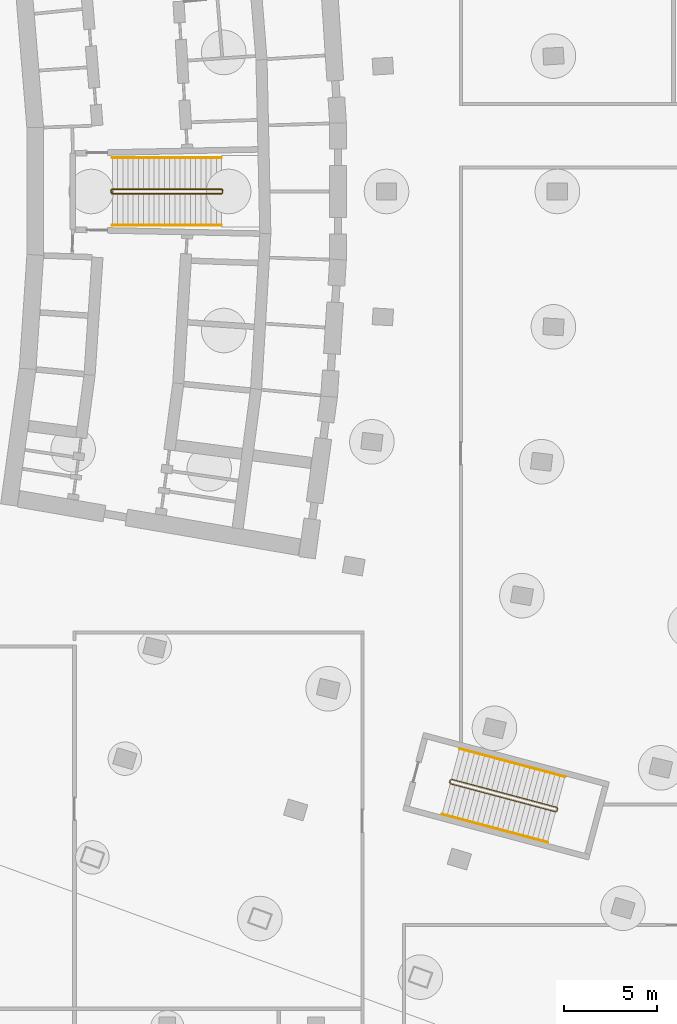
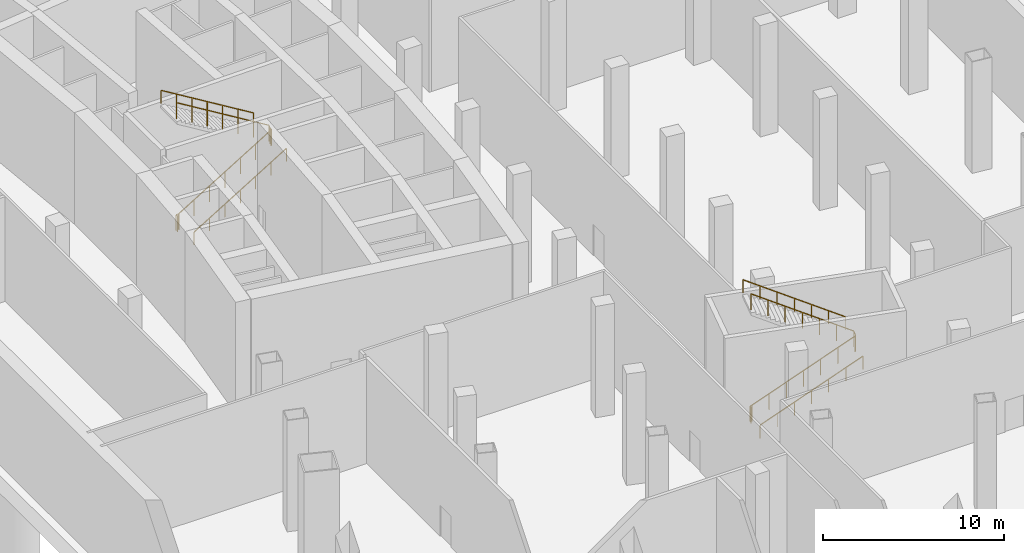
# One storey, part 15 of 19: 6 railings.
"""IFC4 building model written with IfcOpenShell, lengths in metres."""

from ifc_helpers import new_model, si_unit, direction, frame, origin, origin_with_axes, origin_2d, place, context, subcontext, project, spatial, rectangle, extrude, material, type_object, element, save


model = new_model("IFC4")

# Units and contexts
model_context = context("Model", 3, precision=1e-05, world=origin(), true_north=direction((0.0, 1.0)))
body_context = subcontext(model_context, "Body", "Model", "MODEL_VIEW")
ifc_project = project(units=[si_unit("LENGTHUNIT", "METRE"), si_unit("AREAUNIT", "SQUARE_METRE"), si_unit("VOLUMEUNIT", "CUBIC_METRE"), si_unit("PLANEANGLEUNIT", "RADIAN"), si_unit("MASSUNIT", "GRAM", prefix="KILO")], contexts=[model_context])

# Site, building, storey
site_placement = place(None, origin())
site = spatial("IfcSite", under=ifc_project, at=site_placement, CompositionType="ELEMENT")
building_placement = place(site_placement, origin())
building = spatial("IfcBuilding", under=site, at=building_placement, Name="Alderwake Tower", CompositionType="ELEMENT")
storey_placement = place(building_placement, frame((0.0, 0.0, -14.0)))
storey = spatial("IfcBuildingStorey", under=building, at=storey_placement, Name="B2", CompositionType="ELEMENT", Elevation=-14.0)

# Railings
ifc_material_1 = material(Name="Stainless steel guard", Category="steel")
railing_type_1 = type_object("IfcRailingType", Name="Stair guard 1100", PredefinedType="GUARDRAIL", material=ifc_material_1)
railing_1_placement = place(storey_placement, frame((20.989990234375, 60.925048828125, 0.0)))
element("IfcRailing", 1, at=railing_1_placement, inside=storey, type_object=railing_type_1, Name="B2 ST-B stair guard 1", PredefinedType="GUARDRAIL", context=body_context, shape_type="SweptSolid", body=[
    extrude(rectangle(XDim=0.048095703125, YDim=0.048095703125, at=origin_2d()), frame((0.0, 0.0, 1.076171875), z_axis=(0.0, 1.0, 0.0), x_axis=(-1.0, 0.0, 0.0)), (0.0, 0.0, 1.0), 0.14990234375),
    extrude(rectangle(XDim=0.048095703125, YDim=0.048095703125, at=origin_2d()), frame((0.0, 0.14990234375, 1.076171875), z_axis=(0.18713932023, -0.747644406186, 0.637186563514), x_axis=(0.970072785993, 0.242814311512, 0.0)), (0.0, 0.0, 1.0), 0.267333984375),
    extrude(rectangle(XDim=0.048095703125, YDim=0.048095703125, at=origin_2d()), frame((0.050048828125, -0.050048828125, 1.24658203125), z_axis=(0.854164310681, 0.0, 0.520003202259), x_axis=(0.0, 1.0, 0.0)), (0.0, 0.0, 1.0), 6.8837890625),
    extrude(rectangle(XDim=0.048095703125, YDim=0.048095703125, at=origin_2d()), frame((5.929931640625, -0.050048828125, 4.826171875), z_axis=(0.707106781187, 0.707106781187, 0.0), x_axis=(-0.707106781187, 0.707106781187, 0.0)), (0.0, 0.0, 1.0), 0.07080078125),
    extrude(rectangle(XDim=0.048095703125, YDim=0.048095703125, at=origin_2d()), frame((5.97998046875, 0.0, 4.826171875), z_axis=(0.0, 1.0, 0.0), x_axis=(-1.0, 0.0, 0.0)), (0.0, 0.0, 1.0), 0.14990234375),
    extrude(rectangle(XDim=0.048095703125, YDim=0.048095703125, at=origin_2d()), frame((5.97998046875, 0.14990234375, 4.826171875), z_axis=(-0.271230943075, 0.271230943075, 0.923508284228), x_axis=(-0.707106781187, -0.707106781187, 0.0)), (0.0, 0.0, 1.0), 0.1845703125),
    extrude(rectangle(XDim=0.048095703125, YDim=0.048095703125, at=origin_2d()), frame((5.929931640625, 0.199951171875, 4.99658203125), z_axis=(-0.854164310681, 0.0, 0.520003202259), x_axis=(0.0, -1.0, 0.0)), (0.0, 0.0, 1.0), 6.8837890625),
    extrude(rectangle(XDim=0.0419921875, YDim=0.0419921875, at=origin_2d()), frame((0.0, 0.0, 0.0), z_axis=(0.0, 0.0, 1.0), x_axis=(0.0, 1.0, 0.0)), (0.0, 0.0, 1.0), 1.052001953125),
    extrude(rectangle(XDim=0.0419921875, YDim=0.0419921875, at=origin_2d()), frame((0.0, 0.14990234375, 0.0), z_axis=(0.0, 0.0, 1.0), x_axis=(0.242814311512, -0.970072785993, 0.0)), (0.0, 0.0, 1.0), 1.052001953125),
    extrude(rectangle(XDim=0.0419921875, YDim=0.0419921875, at=origin_2d()), frame((0.050048828125, -0.050048828125, 0.17041015625), z_axis=(0.0, 0.0, 1.0), x_axis=(1.0, 0.0, 0.0)), (0.0, 0.0, 1.0), 1.052001953125),
    extrude(rectangle(XDim=0.0419921875, YDim=0.0419921875, at=origin_2d()), frame((1.030029296875, -0.050048828125, 0.76708984375), z_axis=(0.0, 0.0, 1.0), x_axis=(1.0, 0.0, 0.0)), (0.0, 0.0, 1.0), 1.052001953125),
    extrude(rectangle(XDim=0.0419921875, YDim=0.0419921875, at=origin_2d()), frame((2.010009765625, -0.050048828125, 1.363525390625), z_axis=(0.0, 0.0, 1.0), x_axis=(1.0, 0.0, 0.0)), (0.0, 0.0, 1.0), 1.052001953125),
    extrude(rectangle(XDim=0.0419921875, YDim=0.0419921875, at=origin_2d()), frame((2.989990234375, -0.050048828125, 1.960205078125), z_axis=(0.0, 0.0, 1.0), x_axis=(1.0, 0.0, 0.0)), (0.0, 0.0, 1.0), 1.052001953125),
    extrude(rectangle(XDim=0.0419921875, YDim=0.0419921875, at=origin_2d()), frame((3.969970703125, -0.050048828125, 2.556884765625), z_axis=(0.0, 0.0, 1.0), x_axis=(1.0, 0.0, 0.0)), (0.0, 0.0, 1.0), 1.052001953125),
    extrude(rectangle(XDim=0.0419921875, YDim=0.0419921875, at=origin_2d()), frame((4.949951171875, -0.050048828125, 3.1533203125), z_axis=(0.0, 0.0, 1.0), x_axis=(1.0, 0.0, 0.0)), (0.0, 0.0, 1.0), 1.052001953125),
    extrude(rectangle(XDim=0.0419921875, YDim=0.0419921875, at=origin_2d()), frame((5.929931640625, -0.050048828125, 3.75), z_axis=(0.0, 0.0, 1.0), x_axis=(0.707106781187, 0.707106781187, 0.0)), (0.0, 0.0, 1.0), 1.052001953125),
    extrude(rectangle(XDim=0.0419921875, YDim=0.0419921875, at=origin_2d()), frame((5.97998046875, 0.0, 3.75), z_axis=(0.0, 0.0, 1.0), x_axis=(0.0, 1.0, 0.0)), (0.0, 0.0, 1.0), 1.052001953125),
    extrude(rectangle(XDim=0.0419921875, YDim=0.0419921875, at=origin_2d()), frame((5.97998046875, 0.14990234375, 3.75), z_axis=(0.0, 0.0, 1.0), x_axis=(-0.707106781187, 0.707106781187, 0.0)), (0.0, 0.0, 1.0), 1.052001953125),
    extrude(rectangle(XDim=0.0419921875, YDim=0.0419921875, at=origin_2d()), frame((5.929931640625, 0.199951171875, 3.92041015625), z_axis=(0.0, 0.0, 1.0), x_axis=(-1.0, 0.0, 0.0)), (0.0, 0.0, 1.0), 1.052001953125),
    extrude(rectangle(XDim=0.0419921875, YDim=0.0419921875, at=origin_2d()), frame((4.949951171875, 0.199951171875, 4.51708984375), z_axis=(0.0, 0.0, 1.0), x_axis=(-1.0, 0.0, 0.0)), (0.0, 0.0, 1.0), 1.052001953125),
    extrude(rectangle(XDim=0.0419921875, YDim=0.0419921875, at=origin_2d()), frame((3.969970703125, 0.199951171875, 5.113525390625), z_axis=(0.0, 0.0, 1.0), x_axis=(-1.0, 0.0, 0.0)), (0.0, 0.0, 1.0), 1.052001953125),
    extrude(rectangle(XDim=0.0419921875, YDim=0.0419921875, at=origin_2d()), frame((2.989990234375, 0.199951171875, 5.710205078125), z_axis=(0.0, 0.0, 1.0), x_axis=(-1.0, 0.0, 0.0)), (0.0, 0.0, 1.0), 1.052001953125),
    extrude(rectangle(XDim=0.0419921875, YDim=0.0419921875, at=origin_2d()), frame((2.010009765625, 0.199951171875, 6.306884765625), z_axis=(0.0, 0.0, 1.0), x_axis=(-1.0, 0.0, 0.0)), (0.0, 0.0, 1.0), 1.052001953125),
    extrude(rectangle(XDim=0.0419921875, YDim=0.0419921875, at=origin_2d()), frame((1.030029296875, 0.199951171875, 6.9033203125), z_axis=(0.0, 0.0, 1.0), x_axis=(-1.0, 0.0, 0.0)), (0.0, 0.0, 1.0), 1.052001953125),
    extrude(rectangle(XDim=0.0419921875, YDim=0.0419921875, at=origin_2d()), frame((0.050048828125, 0.199951171875, 7.5), z_axis=(0.0, 0.0, 1.0), x_axis=(-1.0, 0.0, 0.0)), (0.0, 0.0, 1.0), 1.052001953125),
])
railing_2_placement = place(storey_placement, frame((39.1943359375, 29.17431640625, 0.0)))
element("IfcRailing", 2, at=railing_2_placement, inside=storey, type_object=railing_type_1, Name="B2 ST-C stair guard 1", PredefinedType="GUARDRAIL", context=body_context, shape_type="SweptSolid", body=[
    extrude(rectangle(XDim=0.048095703125, YDim=0.048095703125, at=origin_2d()), frame((0.0, 0.0, 1.076171875), z_axis=(0.257459803502, 0.966289009345, 0.0), x_axis=(-0.966289009345, 0.257459803502, 0.0)), (0.0, 0.0, 1.0), 0.14990234375),
    extrude(rectangle(XDim=0.048095703125, YDim=0.048095703125, at=origin_2d()), frame((0.03857421875, 0.144775390625, 1.076171875), z_axis=(-0.011868761254, -0.770556499864, 0.637261181167), x_axis=(0.999881397308, -0.015401016783, 0.0)), (0.0, 0.0, 1.0), 0.267333984375),
    extrude(rectangle(XDim=0.048095703125, YDim=0.048095703125, at=origin_2d()), frame((0.035400390625, -0.061279296875, 1.24658203125), z_axis=(0.825390405853, -0.219851120435, 0.519996310343), x_axis=(0.257386123232, 0.966308637842, 0.0)), (0.0, 0.0, 1.0), 6.8837890625),
    extrude(rectangle(XDim=0.048095703125, YDim=0.048095703125, at=origin_2d()), frame((5.71728515625, -1.57470703125, 4.826171875), z_axis=(0.865898279276, 0.500220121494, 0.0), x_axis=(-0.500220121494, 0.865898279276, 0.0)), (0.0, 0.0, 1.0), 0.07080078125),
    extrude(rectangle(XDim=0.048095703125, YDim=0.048095703125, at=origin_2d()), frame((5.778564453125, -1.539306640625, 4.826171875), z_axis=(0.257055032184, 0.966396766566, 0.0), x_axis=(-0.966396766566, 0.257055032184, 0.0)), (0.0, 0.0, 1.0), 0.150146484375),
    extrude(rectangle(XDim=0.048095703125, YDim=0.048095703125, at=origin_2d()), frame((5.817138671875, -1.394287109375, 4.826171875), z_axis=(-0.191850306939, 0.33209949684, 0.923527684439), x_axis=(-0.865898279276, -0.500220121494, 0.0)), (0.0, 0.0, 1.0), 0.1845703125),
    extrude(rectangle(XDim=0.048095703125, YDim=0.048095703125, at=origin_2d()), frame((5.78173828125, -1.3330078125, 4.99658203125), z_axis=(-0.825390405853, 0.219851120435, 0.519996310343), x_axis=(-0.257386123232, -0.966308637842, 0.0)), (0.0, 0.0, 1.0), 6.8837890625),
    extrude(rectangle(XDim=0.0419921875, YDim=0.0419921875, at=origin_2d()), frame((0.0, 0.0, 0.0), z_axis=(0.0, 0.0, 1.0), x_axis=(0.257459803502, 0.966289009345, 0.0)), (0.0, 0.0, 1.0), 1.052001953125),
    extrude(rectangle(XDim=0.0419921875, YDim=0.0419921875, at=origin_2d()), frame((0.03857421875, 0.144775390625, 0.0), z_axis=(0.0, 0.0, 1.0), x_axis=(-0.015401016783, -0.999881397308, 0.0)), (0.0, 0.0, 1.0), 1.052001953125),
    extrude(rectangle(XDim=0.0419921875, YDim=0.0419921875, at=origin_2d()), frame((0.035400390625, -0.061279296875, 0.17041015625), z_axis=(0.0, 0.0, 1.0), x_axis=(0.966308637842, -0.257386123232, 0.0)), (0.0, 0.0, 1.0), 1.052001953125),
    extrude(rectangle(XDim=0.0419921875, YDim=0.0419921875, at=origin_2d()), frame((0.982421875, -0.3134765625, 0.76708984375), z_axis=(0.0, 0.0, 1.0), x_axis=(0.966308637842, -0.257386123232, 0.0)), (0.0, 0.0, 1.0), 1.052001953125),
    extrude(rectangle(XDim=0.0419921875, YDim=0.0419921875, at=origin_2d()), frame((1.929443359375, -0.565673828125, 1.363525390625), z_axis=(0.0, 0.0, 1.0), x_axis=(0.966308637842, -0.257386123232, 0.0)), (0.0, 0.0, 1.0), 1.052001953125),
    extrude(rectangle(XDim=0.0419921875, YDim=0.0419921875, at=origin_2d()), frame((2.87646484375, -0.81787109375, 1.960205078125), z_axis=(0.0, 0.0, 1.0), x_axis=(0.966308637842, -0.257386123232, 0.0)), (0.0, 0.0, 1.0), 1.052001953125),
    extrude(rectangle(XDim=0.0419921875, YDim=0.0419921875, at=origin_2d()), frame((3.8232421875, -1.0703125, 2.556884765625), z_axis=(0.0, 0.0, 1.0), x_axis=(0.966308637842, -0.257386123232, 0.0)), (0.0, 0.0, 1.0), 1.052001953125),
    extrude(rectangle(XDim=0.0419921875, YDim=0.0419921875, at=origin_2d()), frame((4.770263671875, -1.322509765625, 3.1533203125), z_axis=(0.0, 0.0, 1.0), x_axis=(0.966308637842, -0.257386123232, 0.0)), (0.0, 0.0, 1.0), 1.052001953125),
    extrude(rectangle(XDim=0.0419921875, YDim=0.0419921875, at=origin_2d()), frame((5.71728515625, -1.57470703125, 3.75), z_axis=(0.0, 0.0, 1.0), x_axis=(0.865898279276, 0.500220121494, 0.0)), (0.0, 0.0, 1.0), 1.052001953125),
    extrude(rectangle(XDim=0.0419921875, YDim=0.0419921875, at=origin_2d()), frame((5.778564453125, -1.539306640625, 3.75), z_axis=(0.0, 0.0, 1.0), x_axis=(0.257055032184, 0.966396766566, 0.0)), (0.0, 0.0, 1.0), 1.052001953125),
    extrude(rectangle(XDim=0.0419921875, YDim=0.0419921875, at=origin_2d()), frame((5.817138671875, -1.394287109375, 3.75), z_axis=(0.0, 0.0, 1.0), x_axis=(-0.500220121494, 0.865898279276, 0.0)), (0.0, 0.0, 1.0), 1.052001953125),
    extrude(rectangle(XDim=0.0419921875, YDim=0.0419921875, at=origin_2d()), frame((5.78173828125, -1.3330078125, 3.92041015625), z_axis=(0.0, 0.0, 1.0), x_axis=(-0.966308637842, 0.257386123232, 0.0)), (0.0, 0.0, 1.0), 1.052001953125),
    extrude(rectangle(XDim=0.0419921875, YDim=0.0419921875, at=origin_2d()), frame((4.834716796875, -1.080810546875, 4.51708984375), z_axis=(0.0, 0.0, 1.0), x_axis=(-0.966308637842, 0.257386123232, 0.0)), (0.0, 0.0, 1.0), 1.052001953125),
    extrude(rectangle(XDim=0.0419921875, YDim=0.0419921875, at=origin_2d()), frame((3.8876953125, -0.82861328125, 5.113525390625), z_axis=(0.0, 0.0, 1.0), x_axis=(-0.966308637842, 0.257386123232, 0.0)), (0.0, 0.0, 1.0), 1.052001953125),
    extrude(rectangle(XDim=0.0419921875, YDim=0.0419921875, at=origin_2d()), frame((2.94091796875, -0.576171875, 5.710205078125), z_axis=(0.0, 0.0, 1.0), x_axis=(-0.966308637842, 0.257386123232, 0.0)), (0.0, 0.0, 1.0), 1.052001953125),
    extrude(rectangle(XDim=0.0419921875, YDim=0.0419921875, at=origin_2d()), frame((1.993896484375, -0.323974609375, 6.306884765625), z_axis=(0.0, 0.0, 1.0), x_axis=(-0.966308637842, 0.257386123232, 0.0)), (0.0, 0.0, 1.0), 1.052001953125),
    extrude(rectangle(XDim=0.0419921875, YDim=0.0419921875, at=origin_2d()), frame((1.046875, -0.07177734375, 6.9033203125), z_axis=(0.0, 0.0, 1.0), x_axis=(-0.966308637842, 0.257386123232, 0.0)), (0.0, 0.0, 1.0), 1.052001953125),
    extrude(rectangle(XDim=0.0419921875, YDim=0.0419921875, at=origin_2d()), frame((0.099853515625, 0.180419921875, 7.5), z_axis=(0.0, 0.0, 1.0), x_axis=(-0.966308637842, 0.257386123232, 0.0)), (0.0, 0.0, 1.0), 1.052001953125),
])
ifc_material_2 = material(Name="Stainless steel handrail", Category="steel")
railing_type_2 = type_object("IfcRailingType", Name="Stair handrail 900", PredefinedType="HANDRAIL", material=ifc_material_2)
railing_3_placement = place(storey_placement, frame((21.0400390625, 59.175048828125, 0.17041015625)))
element("IfcRailing", 3, at=railing_3_placement, inside=storey, type_object=railing_type_2, Name="B2 ST-B stair handrail 1", PredefinedType="HANDRAIL", context=body_context, shape_type="SweptSolid", body=[
    extrude(rectangle(XDim=0.048095703125, YDim=0.048095703125, at=origin_2d()), frame((0.0, 0.0, 0.8759765625), z_axis=(0.854164310681, 0.0, 0.520003202259), x_axis=(0.0, 1.0, 0.0)), (0.0, 0.0, 1.0), 6.8837890625),
    extrude(rectangle(XDim=0.0419921875, YDim=0.0419921875, at=origin_2d()), origin_with_axes(), (0.0, 0.0, 1.0), 0.851806640625),
    extrude(rectangle(XDim=0.0419921875, YDim=0.0419921875, at=origin_2d()), frame((0.97998046875, 0.0, 0.5966796875), z_axis=(0.0, 0.0, 1.0), x_axis=(1.0, 0.0, 0.0)), (0.0, 0.0, 1.0), 0.851806640625),
    extrude(rectangle(XDim=0.0419921875, YDim=0.0419921875, at=origin_2d()), frame((1.9599609375, 0.0, 1.193115234375), z_axis=(0.0, 0.0, 1.0), x_axis=(1.0, 0.0, 0.0)), (0.0, 0.0, 1.0), 0.851806640625),
    extrude(rectangle(XDim=0.0419921875, YDim=0.0419921875, at=origin_2d()), frame((2.93994140625, 0.0, 1.789794921875), z_axis=(0.0, 0.0, 1.0), x_axis=(1.0, 0.0, 0.0)), (0.0, 0.0, 1.0), 0.851806640625),
    extrude(rectangle(XDim=0.0419921875, YDim=0.0419921875, at=origin_2d()), frame((3.919921875, 0.0, 2.386474609375), z_axis=(0.0, 0.0, 1.0), x_axis=(1.0, 0.0, 0.0)), (0.0, 0.0, 1.0), 0.851806640625),
    extrude(rectangle(XDim=0.0419921875, YDim=0.0419921875, at=origin_2d()), frame((4.89990234375, 0.0, 2.98291015625), z_axis=(0.0, 0.0, 1.0), x_axis=(1.0, 0.0, 0.0)), (0.0, 0.0, 1.0), 0.851806640625),
    extrude(rectangle(XDim=0.0419921875, YDim=0.0419921875, at=origin_2d()), frame((5.8798828125, 0.0, 3.57958984375), z_axis=(0.0, 0.0, 1.0), x_axis=(1.0, 0.0, 0.0)), (0.0, 0.0, 1.0), 0.851806640625),
])
railing_4_placement = place(storey_placement, frame((26.919921875, 62.824951171875, 3.92041015625)))
element("IfcRailing", 4, at=railing_4_placement, inside=storey, type_object=railing_type_2, Name="B2 ST-B stair handrail 2", PredefinedType="HANDRAIL", context=body_context, shape_type="SweptSolid", body=[
    extrude(rectangle(XDim=0.048095703125, YDim=0.048095703125, at=origin_2d()), frame((0.0, 0.0, 0.8759765625), z_axis=(-0.854164310681, 0.0, 0.520003202259), x_axis=(0.0, -1.0, 0.0)), (0.0, 0.0, 1.0), 6.8837890625),
    extrude(rectangle(XDim=0.0419921875, YDim=0.0419921875, at=origin_2d()), frame((0.0, 0.0, 0.0), z_axis=(0.0, 0.0, 1.0), x_axis=(-1.0, 0.0, 0.0)), (0.0, 0.0, 1.0), 0.851806640625),
    extrude(rectangle(XDim=0.0419921875, YDim=0.0419921875, at=origin_2d()), frame((-0.97998046875, 0.0, 0.5966796875), z_axis=(0.0, 0.0, 1.0), x_axis=(-1.0, 0.0, 0.0)), (0.0, 0.0, 1.0), 0.851806640625),
    extrude(rectangle(XDim=0.0419921875, YDim=0.0419921875, at=origin_2d()), frame((-1.9599609375, 0.0, 1.193115234375), z_axis=(0.0, 0.0, 1.0), x_axis=(-1.0, 0.0, 0.0)), (0.0, 0.0, 1.0), 0.851806640625),
    extrude(rectangle(XDim=0.0419921875, YDim=0.0419921875, at=origin_2d()), frame((-2.93994140625, 0.0, 1.789794921875), z_axis=(0.0, 0.0, 1.0), x_axis=(-1.0, 0.0, 0.0)), (0.0, 0.0, 1.0), 0.851806640625),
    extrude(rectangle(XDim=0.0419921875, YDim=0.0419921875, at=origin_2d()), frame((-3.919921875, 0.0, 2.386474609375), z_axis=(0.0, 0.0, 1.0), x_axis=(-1.0, 0.0, 0.0)), (0.0, 0.0, 1.0), 0.851806640625),
    extrude(rectangle(XDim=0.0419921875, YDim=0.0419921875, at=origin_2d()), frame((-4.89990234375, 0.0, 2.98291015625), z_axis=(0.0, 0.0, 1.0), x_axis=(-1.0, 0.0, 0.0)), (0.0, 0.0, 1.0), 0.851806640625),
    extrude(rectangle(XDim=0.0419921875, YDim=0.0419921875, at=origin_2d()), frame((-5.8798828125, 0.0, 3.57958984375), z_axis=(0.0, 0.0, 1.0), x_axis=(-1.0, 0.0, 0.0)), (0.0, 0.0, 1.0), 0.851806640625),
])
railing_5_placement = place(storey_placement, frame((38.792236328125, 27.47021484375, 0.17041015625)))
element("IfcRailing", 5, at=railing_5_placement, inside=storey, type_object=railing_type_2, Name="B2 ST-C stair handrail 1", PredefinedType="HANDRAIL", context=body_context, shape_type="SweptSolid", body=[
    extrude(rectangle(XDim=0.048095703125, YDim=0.048095703125, at=origin_2d()), frame((0.0, 0.0, 0.8759765625), z_axis=(0.825396841099, -0.219817368673, 0.520000364551), x_axis=(0.257347352663, 0.966318963944, 0.0)), (0.0, 0.0, 1.0), 6.8837890625),
    extrude(rectangle(XDim=0.0419921875, YDim=0.0419921875, at=origin_2d()), frame((0.0, 0.0, 0.0), z_axis=(0.0, 0.0, 1.0), x_axis=(0.966318963944, -0.257347352663, 0.0)), (0.0, 0.0, 1.0), 0.851806640625),
    extrude(rectangle(XDim=0.0419921875, YDim=0.0419921875, at=origin_2d()), frame((0.947021484375, -0.252197265625, 0.5966796875), z_axis=(0.0, 0.0, 1.0), x_axis=(0.966318963944, -0.257347352663, 0.0)), (0.0, 0.0, 1.0), 0.851806640625),
    extrude(rectangle(XDim=0.0419921875, YDim=0.0419921875, at=origin_2d()), frame((1.89404296875, -0.50439453125, 1.193115234375), z_axis=(0.0, 0.0, 1.0), x_axis=(0.966318963944, -0.257347352663, 0.0)), (0.0, 0.0, 1.0), 0.851806640625),
    extrude(rectangle(XDim=0.0419921875, YDim=0.0419921875, at=origin_2d()), frame((2.8408203125, -0.756591796875, 1.789794921875), z_axis=(0.0, 0.0, 1.0), x_axis=(0.966318963944, -0.257347352663, 0.0)), (0.0, 0.0, 1.0), 0.851806640625),
    extrude(rectangle(XDim=0.0419921875, YDim=0.0419921875, at=origin_2d()), frame((3.787841796875, -1.0087890625, 2.386474609375), z_axis=(0.0, 0.0, 1.0), x_axis=(0.966318963944, -0.257347352663, 0.0)), (0.0, 0.0, 1.0), 0.851806640625),
    extrude(rectangle(XDim=0.0419921875, YDim=0.0419921875, at=origin_2d()), frame((4.73486328125, -1.260986328125, 2.98291015625), z_axis=(0.0, 0.0, 1.0), x_axis=(0.966318963944, -0.257347352663, 0.0)), (0.0, 0.0, 1.0), 0.851806640625),
    extrude(rectangle(XDim=0.0419921875, YDim=0.0419921875, at=origin_2d()), frame((5.681884765625, -1.51318359375, 3.57958984375), z_axis=(0.0, 0.0, 1.0), x_axis=(0.966318963944, -0.257347352663, 0.0)), (0.0, 0.0, 1.0), 0.851806640625),
])
railing_6_placement = place(storey_placement, frame((45.41357421875, 29.48388671875, 3.92041015625)))
element("IfcRailing", 6, at=railing_6_placement, inside=storey, type_object=railing_type_2, Name="B2 ST-C stair handrail 2", PredefinedType="HANDRAIL", context=body_context, shape_type="SweptSolid", body=[
    extrude(rectangle(XDim=0.048095703125, YDim=0.048095703125, at=origin_2d()), frame((0.0, 0.0, 0.8759765625), z_axis=(-0.825390405853, 0.219851120435, 0.519996310343), x_axis=(-0.257386123232, -0.966308637842, 0.0)), (0.0, 0.0, 1.0), 6.8837890625),
    extrude(rectangle(XDim=0.0419921875, YDim=0.0419921875, at=origin_2d()), frame((0.0, 0.0, 0.0), z_axis=(0.0, 0.0, 1.0), x_axis=(-0.966308637842, 0.257386123232, 0.0)), (0.0, 0.0, 1.0), 0.851806640625),
    extrude(rectangle(XDim=0.0419921875, YDim=0.0419921875, at=origin_2d()), frame((-0.947021484375, 0.252197265625, 0.5966796875), z_axis=(0.0, 0.0, 1.0), x_axis=(-0.966308637842, 0.257386123232, 0.0)), (0.0, 0.0, 1.0), 0.851806640625),
    extrude(rectangle(XDim=0.0419921875, YDim=0.0419921875, at=origin_2d()), frame((-1.89404296875, 0.50439453125, 1.193115234375), z_axis=(0.0, 0.0, 1.0), x_axis=(-0.966308637842, 0.257386123232, 0.0)), (0.0, 0.0, 1.0), 0.851806640625),
    extrude(rectangle(XDim=0.0419921875, YDim=0.0419921875, at=origin_2d()), frame((-2.8408203125, 0.7568359375, 1.789794921875), z_axis=(0.0, 0.0, 1.0), x_axis=(-0.966308637842, 0.257386123232, 0.0)), (0.0, 0.0, 1.0), 0.851806640625),
    extrude(rectangle(XDim=0.0419921875, YDim=0.0419921875, at=origin_2d()), frame((-3.787841796875, 1.009033203125, 2.386474609375), z_axis=(0.0, 0.0, 1.0), x_axis=(-0.966308637842, 0.257386123232, 0.0)), (0.0, 0.0, 1.0), 0.851806640625),
    extrude(rectangle(XDim=0.0419921875, YDim=0.0419921875, at=origin_2d()), frame((-4.73486328125, 1.26123046875, 2.98291015625), z_axis=(0.0, 0.0, 1.0), x_axis=(-0.966308637842, 0.257386123232, 0.0)), (0.0, 0.0, 1.0), 0.851806640625),
    extrude(rectangle(XDim=0.0419921875, YDim=0.0419921875, at=origin_2d()), frame((-5.681884765625, 1.513427734375, 3.57958984375), z_axis=(0.0, 0.0, 1.0), x_axis=(-0.966308637842, 0.257386123232, 0.0)), (0.0, 0.0, 1.0), 0.851806640625),
])

save(model, "model.ifc")
